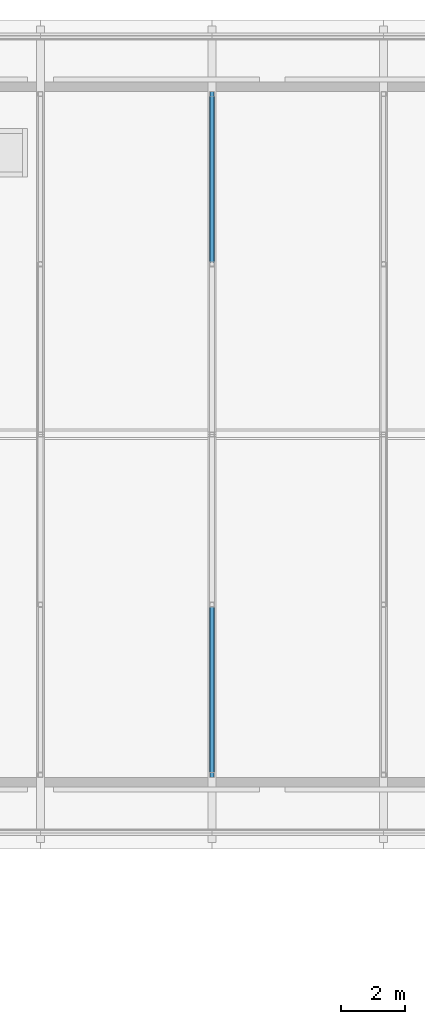
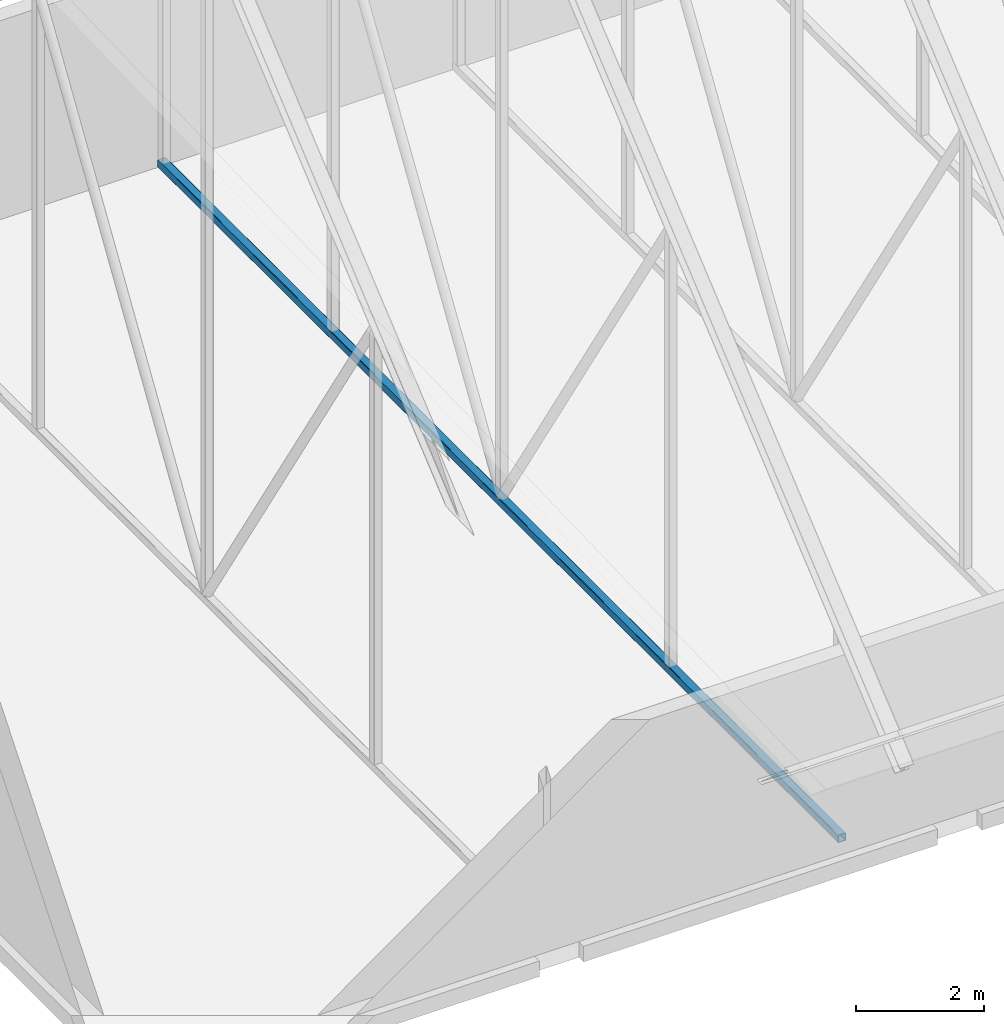
# One storey, part 6 of 29: 1 member.
"""IFC4 building model written with IfcOpenShell, lengths in metres."""

from ifc_helpers import new_model, si_unit, direction, frame, origin, origin_2d, place, context, subcontext, project, spatial, hollow_rectangle, extrude, material, material_profile, profile_set, type_object, element, save


model = new_model("IFC4")

# Units and contexts
model_context = context("Model", 3, precision=1e-05, world=origin(), true_north=direction((0.0, 1.0)))
body_context = subcontext(model_context, "Body", "Model", "MODEL_VIEW")
ifc_project = project(units=[si_unit("LENGTHUNIT", "METRE"), si_unit("AREAUNIT", "SQUARE_METRE"), si_unit("VOLUMEUNIT", "CUBIC_METRE"), si_unit("PLANEANGLEUNIT", "RADIAN"), si_unit("MASSUNIT", "GRAM", prefix="KILO")], contexts=[model_context])

# Site, building, storey
site_placement = place(None, origin())
site = spatial("IfcSite", under=ifc_project, at=site_placement, CompositionType="ELEMENT")
building_placement = place(site_placement, origin())
building = spatial("IfcBuilding", under=site, at=building_placement, Name="Silangan Lancet Faculty of Sciences", CompositionType="ELEMENT")
storey_placement = place(building_placement, frame((0.0, 0.0, 54.300048828125)))
storey = spatial("IfcBuildingStorey", under=building, at=storey_placement, Name="L11", CompositionType="ELEMENT", Elevation=54.300048828125)

# Member
ifc_material = material(Name="Steel STKR400", Category="steel")
ifc_material_profile = material_profile(ifc_material, hollow_rectangle(XDim=0.14990234375, YDim=0.14990234375, WallThickness=0.009033203125, InnerFilletRadius=0.009033203125, OuterFilletRadius=0.01806640625, at=origin_2d()), Name="SHS 150x150x9.0")
ifc_profile_set = profile_set([ifc_material_profile], Name="Steel STKR400")
member_type = type_object("IfcMemberType", Name="Truss bottom chord SHS 150x150x9.0", PredefinedType="CHORD", material=ifc_profile_set)
member_placement = place(storey_placement, frame((12.53125, 36.14990234375, 0.074951171875), z_axis=(0.0, 1.0, 0.0), x_axis=(-1.0, 0.0, 0.0)))
element("IfcMember", 1, at=member_placement, inside=storey, type_object=member_type, Name="Gable truss 2 tie", PredefinedType="CHORD", context=body_context, shape_type="SweptSolid", body=[
    extrude(hollow_rectangle(XDim=0.14990234375, YDim=0.14990234375, WallThickness=0.009033203125, InnerFilletRadius=0.009033203125, OuterFilletRadius=0.01806640625, at=origin_2d()), origin(), (0.0, 0.0, 1.0), 21.300048828125),
])

save(model, "model.ifc")
